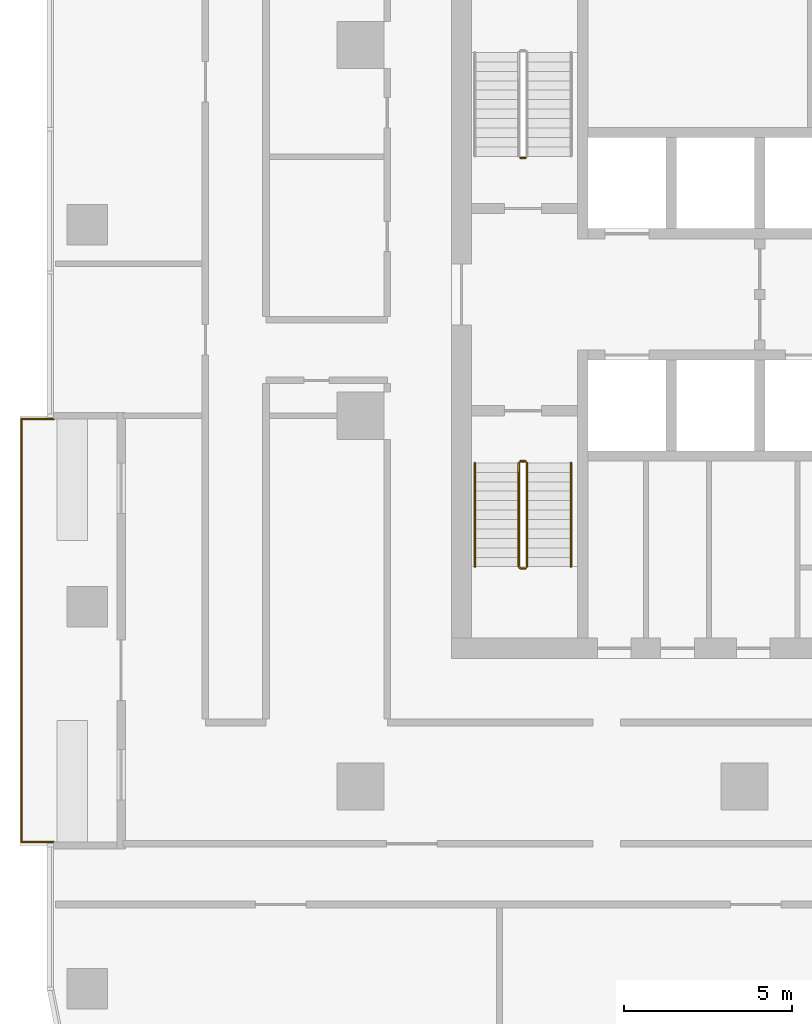
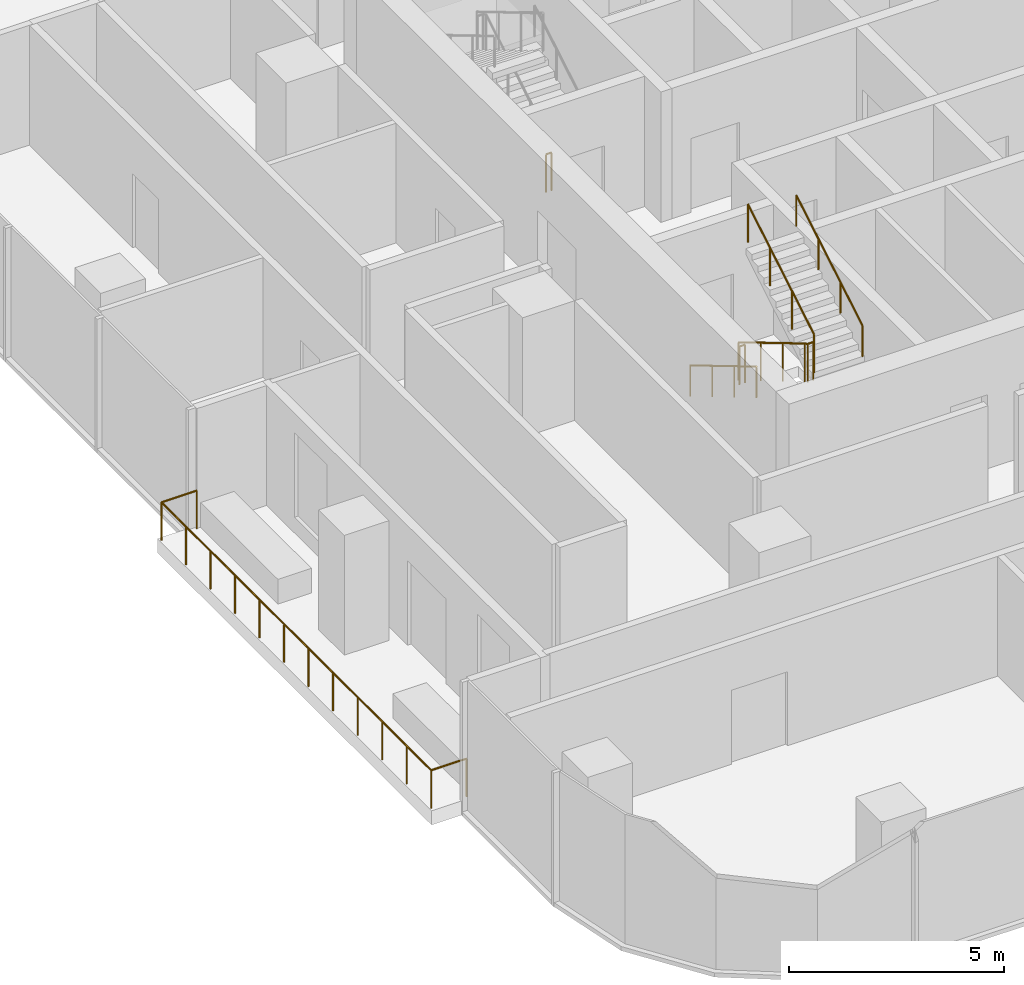
# One storey, part 12 of 14: 7 railings.
"""IFC4 building model written with IfcOpenShell, lengths in metres."""

from ifc_helpers import new_model, si_unit, direction, frame, origin, origin_2d, place, context, subcontext, project, spatial, circle, extrude, material, type_object, element, save


model = new_model("IFC4")

# Units and contexts
model_context = context("Model", 3, precision=1e-05, world=origin(), true_north=direction((0.0, 1.0)))
body_context = subcontext(model_context, "Body", "Model", "MODEL_VIEW")
ifc_project = project(units=[si_unit("LENGTHUNIT", "METRE"), si_unit("AREAUNIT", "SQUARE_METRE"), si_unit("VOLUMEUNIT", "CUBIC_METRE"), si_unit("PLANEANGLEUNIT", "RADIAN"), si_unit("MASSUNIT", "GRAM", prefix="KILO")], contexts=[model_context])

# Site, building, storey
site_placement = place(None, origin())
site = spatial("IfcSite", under=ifc_project, at=site_placement, CompositionType="ELEMENT")
building_placement = place(site_placement, origin())
building = spatial("IfcBuilding", under=site, at=building_placement, Name="Mopane Tessera Tower", CompositionType="ELEMENT")
storey_placement = place(building_placement, frame((0.0, 0.0, 201.0)))
storey = spatial("IfcBuildingStorey", under=building, at=storey_placement, Name="L42", CompositionType="ELEMENT", Elevation=201.0)

# Railings
ifc_material_1 = material(Name="Powder-coated steel balustrade", Category="steel")
railing_type_1 = type_object("IfcRailingType", Name="Escape stair guard 1100 mm", PredefinedType="GUARDRAIL", material=ifc_material_1)
railing_1_placement = place(storey_placement, frame((-12.39990234375, -1.39990234375, 0.166748046875)))
element("IfcRailing", 1, at=railing_1_placement, inside=storey, type_object=railing_type_1, Name="L42 ST1 stair guard 1", PredefinedType="GUARDRAIL", context=body_context, shape_type="SweptSolid", body=[
    extrude(circle(Radius=0.02392578125, at=origin_2d()), frame((0.0, 0.0, 1.076171875), z_axis=(0.0, -0.859308565015, 0.511457515432), x_axis=(1.0, 0.0, 0.0)), (0.0, 0.0, 1.0), 3.58447265625),
    extrude(circle(Radius=0.02392578125, at=origin_2d()), frame((0.0, -3.080078125, 2.9091796875), z_axis=(0.705375805398, -0.708833529934, 0.0), x_axis=(0.708833529934, 0.705375805398, 0.0)), (0.0, 0.0, 1.0), 0.070556640625),
    extrude(circle(Radius=0.02392578125, at=origin_2d()), frame((0.0498046875, -3.130126953125, 2.9091796875), z_axis=(1.0, 0.0, 0.0), x_axis=(0.0, 1.0, 0.0)), (0.0, 0.0, 1.0), 0.150146484375),
    extrude(circle(Radius=0.02099609375, at=origin_2d()), origin(), (0.0, 0.0, 1.0), 1.052001953125),
    extrude(circle(Radius=0.02099609375, at=origin_2d()), frame((0.0, -1.026611328125, 0.611083984375)), (0.0, 0.0, 1.0), 1.052001953125),
    extrude(circle(Radius=0.02099609375, at=origin_2d()), frame((0.0, -2.053466796875, 1.22216796875)), (0.0, 0.0, 1.0), 1.052001953125),
    extrude(circle(Radius=0.02099609375, at=origin_2d()), frame((0.0, -3.080078125, 1.833251953125)), (0.0, 0.0, 1.0), 1.052001953125),
    extrude(circle(Radius=0.02099609375, at=origin_2d()), frame((0.0498046875, -3.130126953125, 1.833251953125)), (0.0, 0.0, 1.0), 1.052001953125),
    extrude(circle(Radius=0.02099609375, at=origin_2d()), frame((0.199951171875, -3.130126953125, 1.833251953125)), (0.0, 0.0, 1.0), 1.052001953125),
])
railing_2_placement = place(storey_placement, frame((-12.14990234375, -4.47998046875, 2.166748046875)))
element("IfcRailing", 2, at=railing_2_placement, inside=storey, type_object=railing_type_1, Name="L42 ST1 stair guard 2", PredefinedType="GUARDRAIL", context=body_context, shape_type="SweptSolid", body=[
    extrude(circle(Radius=0.02392578125, at=origin_2d()), frame((0.0, 0.0, 1.076171875), z_axis=(0.0, 0.859308565015, 0.511457515432), x_axis=(-1.0, 0.0, 0.0)), (0.0, 0.0, 1.0), 3.58447265625),
    extrude(circle(Radius=0.02099609375, at=origin_2d()), origin(), (0.0, 0.0, 1.0), 1.052001953125),
    extrude(circle(Radius=0.02099609375, at=origin_2d()), frame((0.0, 1.026611328125, 0.611083984375)), (0.0, 0.0, 1.0), 1.052001953125),
    extrude(circle(Radius=0.02099609375, at=origin_2d()), frame((0.0, 2.053466796875, 1.22216796875)), (0.0, 0.0, 1.0), 1.052001953125),
    extrude(circle(Radius=0.02099609375, at=origin_2d()), frame((0.0, 3.080078125, 1.833251953125)), (0.0, 0.0, 1.0), 1.052001953125),
])
railing_3_placement = place(storey_placement, frame((-12.35009765625, -1.35009765625, 0.0)))
element("IfcRailing", 3, at=railing_3_placement, inside=storey, type_object=railing_type_1, Name="L42 ST1 stair guard 3", PredefinedType="GUARDRAIL", context=body_context, shape_type="SweptSolid", body=[
    extrude(circle(Radius=0.02392578125, at=origin_2d()), frame((0.0, 0.0, 1.076171875), z_axis=(1.0, 0.0, 0.0), x_axis=(0.0, 1.0, 0.0)), (0.0, 0.0, 1.0), 0.150146484375),
    extrude(circle(Radius=0.02099609375, at=origin_2d()), origin(), (0.0, 0.0, 1.0), 1.052001953125),
    extrude(circle(Radius=0.02099609375, at=origin_2d()), frame((0.150146484375, 0.0, 0.0)), (0.0, 0.0, 1.0), 1.052001953125),
])
railing_4_placement = place(storey_placement, frame((-12.199951171875, 7.64990234375, 0.0)))
element("IfcRailing", 4, at=railing_4_placement, inside=storey, type_object=railing_type_1, Name="L42 ST2 stair guard 3", PredefinedType="GUARDRAIL", context=body_context, shape_type="SweptSolid", body=[
    extrude(circle(Radius=0.02392578125, at=origin_2d()), frame((0.0, 0.0, 1.076171875), z_axis=(-1.0, 0.0, 0.0), x_axis=(0.0, -1.0, 0.0)), (0.0, 0.0, 1.0), 0.150146484375),
    extrude(circle(Radius=0.02099609375, at=origin_2d()), origin(), (0.0, 0.0, 1.0), 1.052001953125),
    extrude(circle(Radius=0.02099609375, at=origin_2d()), frame((-0.150146484375, 0.0, 0.0)), (0.0, 0.0, 1.0), 1.052001953125),
])
ifc_material_2 = material(Name="Powder-coated steel balustrade", Category="steel")
railing_type_2 = type_object("IfcRailingType", Name="Escape stair handrail 900 mm", PredefinedType="HANDRAIL", material=ifc_material_2)
railing_5_placement = place(storey_placement, frame((-13.699951171875, -1.39990234375, 0.166748046875)))
element("IfcRailing", 5, at=railing_5_placement, inside=storey, type_object=railing_type_2, Name="L42 ST1 stair handrail 1", PredefinedType="HANDRAIL", context=body_context, shape_type="SweptSolid", body=[
    extrude(circle(Radius=0.02392578125, at=origin_2d()), frame((0.0, 0.0, 0.8759765625), z_axis=(0.0, -0.859308565015, 0.511457515432), x_axis=(1.0, 0.0, 0.0)), (0.0, 0.0, 1.0), 3.58447265625),
    extrude(circle(Radius=0.02099609375, at=origin_2d()), origin(), (0.0, 0.0, 1.0), 0.851806640625),
    extrude(circle(Radius=0.02099609375, at=origin_2d()), frame((0.0, -1.026611328125, 0.611083984375)), (0.0, 0.0, 1.0), 0.851806640625),
    extrude(circle(Radius=0.02099609375, at=origin_2d()), frame((0.0, -2.053466796875, 1.22216796875)), (0.0, 0.0, 1.0), 0.851806640625),
    extrude(circle(Radius=0.02099609375, at=origin_2d()), frame((0.0, -3.080078125, 1.833251953125)), (0.0, 0.0, 1.0), 0.851806640625),
])
railing_6_placement = place(storey_placement, frame((-10.85009765625, -4.47998046875, 2.166748046875)))
element("IfcRailing", 6, at=railing_6_placement, inside=storey, type_object=railing_type_2, Name="L42 ST1 stair handrail 2", PredefinedType="HANDRAIL", context=body_context, shape_type="SweptSolid", body=[
    extrude(circle(Radius=0.02392578125, at=origin_2d()), frame((0.0, 0.0, 0.8759765625), z_axis=(0.0, 0.859308565015, 0.511457515432), x_axis=(-1.0, 0.0, 0.0)), (0.0, 0.0, 1.0), 3.58447265625),
    extrude(circle(Radius=0.02099609375, at=origin_2d()), origin(), (0.0, 0.0, 1.0), 0.851806640625),
    extrude(circle(Radius=0.02099609375, at=origin_2d()), frame((0.0, 1.026611328125, 0.611083984375)), (0.0, 0.0, 1.0), 0.851806640625),
    extrude(circle(Radius=0.02099609375, at=origin_2d()), frame((0.0, 2.053466796875, 1.22216796875)), (0.0, 0.0, 1.0), 0.851806640625),
    extrude(circle(Radius=0.02099609375, at=origin_2d()), frame((0.0, 3.080078125, 1.833251953125)), (0.0, 0.0, 1.0), 0.851806640625),
])
ifc_material_3 = material(Name="Stainless steel S316", Category="steel")
railing_type_3 = type_object("IfcRailingType", Name="Terrace guard 1100", PredefinedType="GUARDRAIL", material=ifc_material_3)
railing_7_placement = place(storey_placement, frame((-26.199951171875, -0.10009765625, 0.0)))
element("IfcRailing", 7, at=railing_7_placement, inside=storey, type_object=railing_type_3, Name="e:nw:L42:N1:guard", PredefinedType="GUARDRAIL", context=body_context, shape_type="SweptSolid", body=[
    extrude(circle(Radius=0.02392578125, at=origin_2d()), frame((0.0, 0.0, 1.076171875), z_axis=(-1.0, 0.0, 0.0), x_axis=(0.0, -1.0, 0.0)), (0.0, 0.0, 1.0), 0.949951171875),
    extrude(circle(Radius=0.02392578125, at=origin_2d()), frame((-0.949951171875, 0.0, 1.076171875), z_axis=(0.0, -1.0, 0.0), x_axis=(1.0, 0.0, 0.0)), (0.0, 0.0, 1.0), 12.5498046875),
    extrude(circle(Radius=0.02392578125, at=origin_2d()), frame((-0.949951171875, -12.5498046875, 1.076171875), z_axis=(1.0, 0.0, 0.0), x_axis=(0.0, 1.0, 0.0)), (0.0, 0.0, 1.0), 0.949951171875),
    extrude(circle(Radius=0.02099609375, at=origin_2d()), origin(), (0.0, 0.0, 1.0), 1.052001953125),
    extrude(circle(Radius=0.02099609375, at=origin_2d()), frame((-0.949951171875, 0.0, 0.0)), (0.0, 0.0, 1.0), 1.052001953125),
    extrude(circle(Radius=0.02099609375, at=origin_2d()), frame((-0.949951171875, -1.140869140625, 0.0)), (0.0, 0.0, 1.0), 1.052001953125),
    extrude(circle(Radius=0.02099609375, at=origin_2d()), frame((-0.949951171875, -2.28173828125, 0.0)), (0.0, 0.0, 1.0), 1.052001953125),
    extrude(circle(Radius=0.02099609375, at=origin_2d()), frame((-0.949951171875, -3.422607421875, 0.0)), (0.0, 0.0, 1.0), 1.052001953125),
    extrude(circle(Radius=0.02099609375, at=origin_2d()), frame((-0.949951171875, -4.5634765625, 0.0)), (0.0, 0.0, 1.0), 1.052001953125),
    extrude(circle(Radius=0.02099609375, at=origin_2d()), frame((-0.949951171875, -5.704345703125, 0.0)), (0.0, 0.0, 1.0), 1.052001953125),
    extrude(circle(Radius=0.02099609375, at=origin_2d()), frame((-0.949951171875, -6.845458984375, 0.0)), (0.0, 0.0, 1.0), 1.052001953125),
    extrude(circle(Radius=0.02099609375, at=origin_2d()), frame((-0.949951171875, -7.986328125, 0.0)), (0.0, 0.0, 1.0), 1.052001953125),
    extrude(circle(Radius=0.02099609375, at=origin_2d()), frame((-0.949951171875, -9.127197265625, 0.0)), (0.0, 0.0, 1.0), 1.052001953125),
    extrude(circle(Radius=0.02099609375, at=origin_2d()), frame((-0.949951171875, -10.26806640625, 0.0)), (0.0, 0.0, 1.0), 1.052001953125),
    extrude(circle(Radius=0.02099609375, at=origin_2d()), frame((-0.949951171875, -11.408935546875, 0.0)), (0.0, 0.0, 1.0), 1.052001953125),
    extrude(circle(Radius=0.02099609375, at=origin_2d()), frame((-0.949951171875, -12.5498046875, 0.0)), (0.0, 0.0, 1.0), 1.052001953125),
    extrude(circle(Radius=0.02099609375, at=origin_2d()), frame((0.0, -12.5498046875, 0.0)), (0.0, 0.0, 1.0), 1.052001953125),
])

save(model, "model.ifc")
